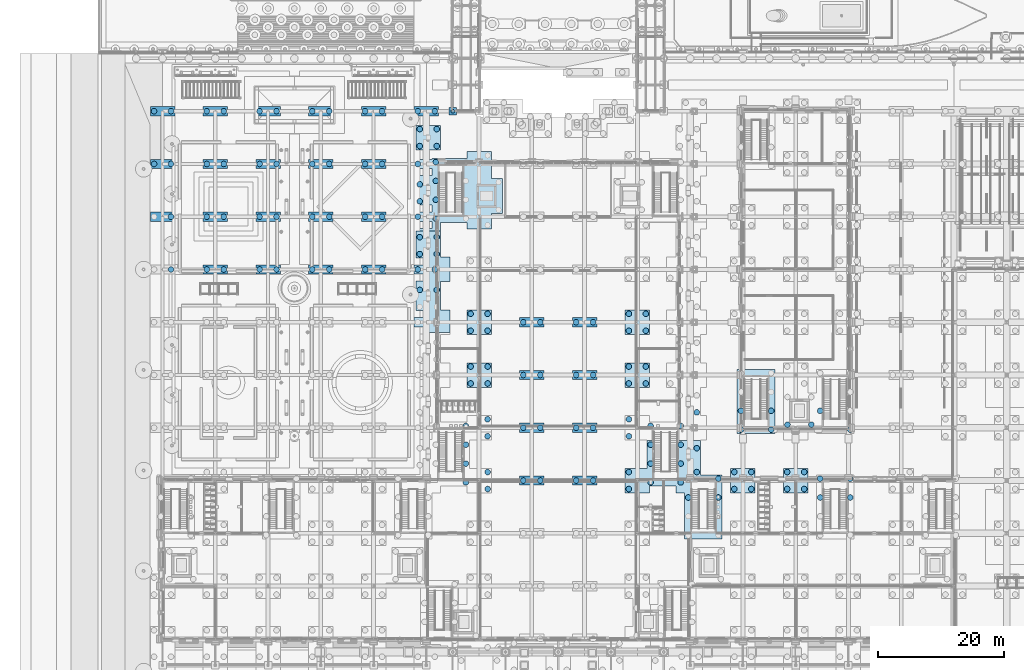
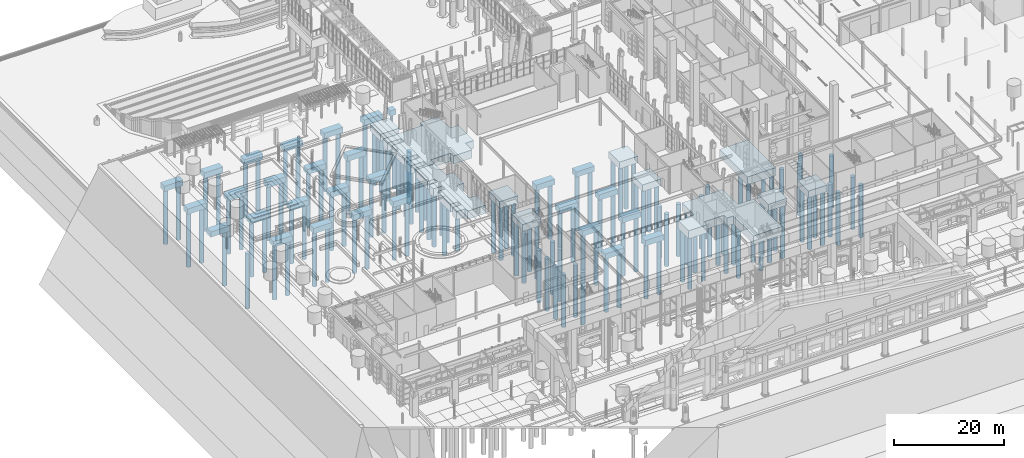
# One storey, part 3 of 222: 139 piles, 40 footings.
"""IFC4 building model written with IfcOpenShell, lengths in metres."""

from ifc_helpers import new_model, si_unit, direction, frame, origin, origin_2d, place, context, subcontext, project, spatial, polyline, rectangle, circle, outline, extrude, material, material_profile, profile_set, type_object, element, save


model = new_model("IFC4")

# Units and contexts
model_context = context("Model", 3, precision=1e-05, world=origin(), true_north=direction((0.0, 1.0)))
body_context = subcontext(model_context, "Body", "Model", "MODEL_VIEW")
ifc_project = project(units=[si_unit("LENGTHUNIT", "METRE"), si_unit("AREAUNIT", "SQUARE_METRE"), si_unit("VOLUMEUNIT", "CUBIC_METRE"), si_unit("PLANEANGLEUNIT", "RADIAN"), si_unit("MASSUNIT", "GRAM", prefix="KILO")], contexts=[model_context])

# Site, building, storey
site_placement = place(None, origin())
site = spatial("IfcSite", under=ifc_project, at=site_placement, CompositionType="ELEMENT")
building_placement = place(site_placement, origin())
building = spatial("IfcBuilding", under=site, at=building_placement, Name="Sava Quay Ferry Terminal", CompositionType="ELEMENT")
storey_placement = place(building_placement, origin())
storey = spatial("IfcBuildingStorey", under=building, at=storey_placement, Name="L00", CompositionType="ELEMENT", Elevation=0.0)

# Piles
ifc_material_1 = material(Name="Concrete C30/37", Category="concrete")
ifc_material_profile_1 = material_profile(ifc_material_1, circle(Radius=0.300048828125, at=origin_2d()), Name="Bored pile D600")
ifc_profile_set_1 = profile_set([ifc_material_profile_1], Name="Concrete C30/37")
pile_type_1 = type_object("IfcPileType", Name="Bored pile D600", PredefinedType="BORED", material=ifc_profile_set_1)
pile_placement = place(storey_placement, frame((46.199951171875, 109.199951171875, -2.449951171875), z_axis=(0.0, 0.0, -1.0), x_axis=(1.0, 0.0, 0.0)))
element("IfcPile", 1, at=pile_placement, inside=storey, type_object=pile_type_1, Name="Pile 46.2/109.2", PredefinedType="BORED", context=body_context, shape_type="SweptSolid", body=[
    extrude(circle(Radius=0.300048828125, at=origin_2d()), origin(), (0.0, 0.0, 1.0), 11.35009765625),
])
ifc_material_2 = material(Name="Concrete C30/37", Category="concrete")
ifc_material_profile_2 = material_profile(ifc_material_2, circle(Radius=0.449951171875, at=origin_2d()), Name="Bored pile D900")
ifc_profile_set_2 = profile_set([ifc_material_profile_2], Name="Concrete C30/37")
pile_type_2 = type_object("IfcPileType", Name="Bored pile D900", PredefinedType="BORED", material=ifc_profile_set_2)
for number, where, z_axis, x_axis, name in (
    (2, (48.300048828125, 50.10009765625, -3.050048828125), (0.0, 0.0, -1.0), (1.0, 0.0, 0.0), "Pile 48.3/50.1"),
    (3, (48.300048828125, 53.10009765625, -3.050048828125), (0.0, 0.0, -1.0), (1.0, 0.0, 0.0), "Pile 48.3/53.1"),
    (4, (48.300048828125, 56.10009765625, -3.050048828125), (0.0, 0.0, -1.0), (1.0, 0.0, 0.0), "Pile 48.3/56.1"),
    (5, (51.75, 49.050048828125, -3.050048828125), (0.0, 0.0, -1.0), (1.0, 0.0, 0.0), "Pile 51.75/49.05"),
    (6, (51.75, 51.75, -3.050048828125), (0.0, 0.0, -1.0), (1.0, 0.0, 0.0), "Pile 51.75/51.75"),
    (7, (51.75, 57.449951171875, -3.050048828125), (0.0, 0.0, -1.0), (1.0, 0.0, 0.0), "Pile 51.75/57.45"),
    (8, (77.699951171875, 50.10009765625, -3.050048828125), (0.0, 0.0, -1.0), (1.0, 0.0, 0.0), "Pile 77.7/50.1"),
    (9, (77.699951171875, 53.10009765625, -3.050048828125), (0.0, 0.0, -1.0), (1.0, 0.0, 0.0), "Pile 77.7/53.1"),
    (10, (77.699951171875, 56.10009765625, -3.050048828125), (0.0, 0.0, -1.0), (1.0, 0.0, 0.0), "Pile 77.7/56.1"),
    (11, (82.5, 50.10009765625, -3.050048828125), (0.0, 0.0, -1.0), (1.0, 0.0, 0.0), "Pile 82.5/50.1"),
    (12, (82.5, 53.10009765625, -3.050048828125), (0.0, 0.0, -1.0), (1.0, 0.0, 0.0), "Pile 82.5/53.1"),
    (13, (82.5, 56.10009765625, -3.050048828125), (0.0, 0.0, -1.0), (1.0, 0.0, 0.0), "Pile 82.5/56.1"),
    (14, (83.699951171875, 47.699951171875, -3.050048828125), (0.0, 0.0, -1.0), (1.0, 0.0, 0.0), "Pile 83.7/47.7"),
    (15, (88.5, 47.699951171875, -3.050048828125), (0.0, 0.0, -1.0), (1.0, 0.0, 0.0), "Pile 88.5/47.7"),
    (16, (88.5, 50.699951171875, -3.050048828125), (0.0, 0.0, -1.0), (1.0, 0.0, 0.0), "Pile 88.5/50.7"),
    (17, (85.050048828125, 51.75, -3.050048828125), (0.0, 0.0, -1.0), (1.0, 0.0, 0.0), "Pile 85.05/51.75"),
    (18, (85.050048828125, 55.550048828125, -3.050048828125), (0.0, 0.0, -1.0), (1.0, 0.0, 0.0), "Pile 85.05/55.55"),
    (19, (74.25, 49.050048828125, -3.050048828125), (0.0, 0.0, -1.0), (1.0, 0.0, 0.0), "Pile 74.25/49.05"),
    (20, (74.25, 51.75, -3.050048828125), (0.0, 0.0, -1.0), (1.0, 0.0, 0.0), "Pile 74.25/51.75"),
    (21, (104.699951171875, 47.699951171875, -3.050048828125), (0.0, 0.0, -1.0), (1.0, 0.0, 0.0), "Pile 104.7/47.7"),
    (22, (104.699951171875, 50.699951171875, -3.050048828125), (0.0, 0.0, -1.0), (1.0, 0.0, 0.0), "Pile 104.7/50.7"),
    (23, (109.5, 47.699951171875, -3.050048828125), (0.0, 0.0, -1.0), (1.0, 0.0, 0.0), "Pile 109.5/47.7"),
    (24, (109.5, 50.699951171875, -3.050048828125), (0.0, 0.0, -1.0), (1.0, 0.0, 0.0), "Pile 109.5/50.7"),
):
    element("IfcPile", number, at=place(storey_placement, frame(where, z_axis=z_axis, x_axis=x_axis)), inside=storey, type_object=pile_type_2, Name=name, PredefinedType="BORED", context=body_context, shape_type="SweptSolid", body=[
        extrude(circle(Radius=0.449951171875, at=origin_2d()), origin(), (0.0, 0.0, 1.0), 11.64990234375),
    ])
for number, where, z_axis, x_axis, name in (
    (25, (91.050048828125, 49.050048828125, -2.75), (0.0, 0.0, -1.0), (1.0, 0.0, 0.0), "Pile 91.05/49.05"),
    (26, (91.050048828125, 51.75, -2.75), (0.0, 0.0, -1.0), (1.0, 0.0, 0.0), "Pile 91.05/51.75"),
    (27, (93.75, 49.050048828125, -2.75), (0.0, 0.0, -1.0), (1.0, 0.0, 0.0), "Pile 93.75/49.05"),
    (28, (93.75, 51.75, -2.75), (0.0, 0.0, -1.0), (1.0, 0.0, 0.0), "Pile 93.75/51.75"),
    (29, (99.449951171875, 49.050048828125, -2.75), (0.0, 0.0, -1.0), (1.0, 0.0, 0.0), "Pile 99.45/49.05"),
    (30, (99.449951171875, 51.75, -2.75), (0.0, 0.0, -1.0), (1.0, 0.0, 0.0), "Pile 99.45/51.75"),
    (31, (102.14990234375, 49.050048828125, -2.75), (0.0, 0.0, -1.0), (1.0, 0.0, 0.0), "Pile 102.15/49.05"),
    (32, (102.14990234375, 51.75, -2.75), (0.0, 0.0, -1.0), (1.0, 0.0, 0.0), "Pile 102.15/51.75"),
):
    element("IfcPile", number, at=place(storey_placement, frame(where, z_axis=z_axis, x_axis=x_axis)), inside=storey, type_object=pile_type_2, Name=name, PredefinedType="BORED", context=body_context, shape_type="SweptSolid", body=[
        extrude(circle(Radius=0.449951171875, at=origin_2d()), origin(), (0.0, 0.0, 1.0), 11.949951171875),
    ])
for number, where, z_axis, x_axis, name in (
    (33, (57.449951171875, 50.39990234375, -2.449951171875), (0.0, 0.0, -1.0), (1.0, 0.0, 0.0), "Pile 57.45/50.4"),
    (34, (60.14990234375, 50.39990234375, -2.449951171875), (0.0, 0.0, -1.0), (1.0, 0.0, 0.0), "Pile 60.15/50.4"),
    (35, (65.85009765625, 50.39990234375, -2.449951171875), (0.0, 0.0, -1.0), (1.0, 0.0, 0.0), "Pile 65.85/50.4"),
    (36, (68.550048828125, 50.39990234375, -2.449951171875), (0.0, 0.0, -1.0), (1.0, 0.0, 0.0), "Pile 68.55/50.4"),
):
    element("IfcPile", number, at=place(storey_placement, frame(where, z_axis=z_axis, x_axis=x_axis)), inside=storey, type_object=pile_type_2, Name=name, PredefinedType="BORED", context=body_context, shape_type="SweptSolid", body=[
        extrude(circle(Radius=0.449951171875, at=origin_2d()), origin(), (0.0, 0.0, 1.0), 12.25),
    ])
for number, where, z_axis, x_axis, name in (
    (37, (77.699951171875, 59.10009765625, -3.050048828125), (0.0, 0.0, -1.0), (1.0, 0.0, 0.0), "Pile 77.7/59.1"),
    (38, (82.5, 59.10009765625, -3.050048828125), (0.0, 0.0, -1.0), (1.0, 0.0, 0.0), "Pile 82.5/59.1"),
    (39, (85.050048828125, 61.25, -3.050048828125), (0.0, 0.0, -1.0), (1.0, 0.0, 0.0), "Pile 85.05/61.25"),
    (40, (74.25, 57.449951171875, -3.050048828125), (0.0, 0.0, -1.0), (1.0, 0.0, 0.0), "Pile 74.25/57.45"),
    (41, (74.25, 60.14990234375, -3.050048828125), (0.0, 0.0, -1.0), (1.0, 0.0, 0.0), "Pile 74.25/60.15"),
    (42, (99.5, 59.300048828125, -3.050048828125), (0.0, 0.0, -1.0), (1.0, 0.0, 0.0), "Pile 99.5/59.3"),
    (43, (103.300048828125, 59.300048828125, -3.050048828125), (0.0, 0.0, -1.0), (1.0, 0.0, 0.0), "Pile 103.3/59.3"),
    (44, (104.699951171875, 61.5, -3.050048828125), (0.0, 0.0, -1.0), (1.0, 0.0, 0.0), "Pile 104.7/61.5"),
    (45, (109.5, 58.5, -3.050048828125), (0.0, 0.0, -1.0), (1.0, 0.0, 0.0), "Pile 109.5/58.5"),
    (46, (92.10009765625, 58.5, -3.050048828125), (0.0, 0.0, -1.0), (1.0, 0.0, 0.0), "Pile 92.1/58.5"),
    (47, (92.10009765625, 61.5, -3.050048828125), (0.0, 0.0, -1.0), (1.0, 0.0, 0.0), "Pile 92.1/61.5"),
    (48, (96.89990234375, 58.5, -3.050048828125), (0.0, 0.0, -1.0), (1.0, 0.0, 0.0), "Pile 96.9/58.5"),
    (49, (96.89990234375, 61.5, -3.050048828125), (0.0, 0.0, -1.0), (1.0, 0.0, 0.0), "Pile 96.9/61.5"),
):
    element("IfcPile", number, at=place(storey_placement, frame(where, z_axis=z_axis, x_axis=x_axis)), inside=storey, type_object=pile_type_2, Name=name, PredefinedType="BORED", context=body_context, shape_type="SweptSolid", body=[
        extrude(circle(Radius=0.449951171875, at=origin_2d()), origin(), (0.0, 0.0, 1.0), 11.64990234375),
    ])
for number, where, z_axis, x_axis, name in (
    (50, (57.449951171875, 58.800048828125, -2.449951171875), (0.0, 0.0, -1.0), (1.0, 0.0, 0.0), "Pile 57.45/58.8"),
    (51, (60.14990234375, 58.800048828125, -2.449951171875), (0.0, 0.0, -1.0), (1.0, 0.0, 0.0), "Pile 60.15/58.8"),
    (52, (65.85009765625, 58.800048828125, -2.449951171875), (0.0, 0.0, -1.0), (1.0, 0.0, 0.0), "Pile 65.85/58.8"),
    (53, (68.550048828125, 58.800048828125, -2.449951171875), (0.0, 0.0, -1.0), (1.0, 0.0, 0.0), "Pile 68.55/58.8"),
):
    element("IfcPile", number, at=place(storey_placement, frame(where, z_axis=z_axis, x_axis=x_axis)), inside=storey, type_object=pile_type_2, Name=name, PredefinedType="BORED", context=body_context, shape_type="SweptSolid", body=[
        extrude(circle(Radius=0.449951171875, at=origin_2d()), origin(), (0.0, 0.0, 1.0), 12.25),
    ])
for number, where, z_axis, x_axis, name in (
    (54, (48.300048828125, 59.10009765625, -3.050048828125), (0.0, 0.0, -1.0), (1.0, 0.0, 0.0), "Pile 48.3/59.1"),
    (55, (51.75, 60.14990234375, -3.050048828125), (0.0, 0.0, -1.0), (1.0, 0.0, 0.0), "Pile 51.75/60.15"),
):
    element("IfcPile", number, at=place(storey_placement, frame(where, z_axis=z_axis, x_axis=x_axis)), inside=storey, type_object=pile_type_2, Name=name, PredefinedType="BORED", context=body_context, shape_type="SweptSolid", body=[
        extrude(circle(Radius=0.449951171875, at=origin_2d()), origin(), (0.0, 0.0, 1.0), 11.64990234375),
    ])
for number, where, z_axis, x_axis, name in (
    (56, (49.050048828125, 65.85009765625, -2.75), (0.0, 0.0, -1.0), (1.0, 0.0, 0.0), "Pile 49.05/65.85"),
    (57, (49.050048828125, 68.550048828125, -2.75), (0.0, 0.0, -1.0), (1.0, 0.0, 0.0), "Pile 49.05/68.55"),
    (58, (51.75, 65.85009765625, -2.75), (0.0, 0.0, -1.0), (1.0, 0.0, 0.0), "Pile 51.75/65.85"),
    (59, (51.75, 68.550048828125, -2.75), (0.0, 0.0, -1.0), (1.0, 0.0, 0.0), "Pile 51.75/68.55"),
    (60, (74.25, 65.85009765625, -2.75), (0.0, 0.0, -1.0), (1.0, 0.0, 0.0), "Pile 74.25/65.85"),
    (61, (74.25, 68.550048828125, -2.75), (0.0, 0.0, -1.0), (1.0, 0.0, 0.0), "Pile 74.25/68.55"),
    (62, (76.949951171875, 65.85009765625, -2.75), (0.0, 0.0, -1.0), (1.0, 0.0, 0.0), "Pile 76.95/65.85"),
    (63, (76.949951171875, 68.550048828125, -2.75), (0.0, 0.0, -1.0), (1.0, 0.0, 0.0), "Pile 76.95/68.55"),
):
    element("IfcPile", number, at=place(storey_placement, frame(where, z_axis=z_axis, x_axis=x_axis)), inside=storey, type_object=pile_type_2, Name=name, PredefinedType="BORED", context=body_context, shape_type="SweptSolid", body=[
        extrude(circle(Radius=0.449951171875, at=origin_2d()), origin(), (0.0, 0.0, 1.0), 11.949951171875),
    ])
for number, where, z_axis, x_axis, name in (
    (64, (57.449951171875, 67.199951171875, -2.449951171875), (0.0, 0.0, -1.0), (1.0, 0.0, 0.0), "Pile 57.45/67.2"),
    (65, (60.14990234375, 67.199951171875, -2.449951171875), (0.0, 0.0, -1.0), (1.0, 0.0, 0.0), "Pile 60.15/67.2"),
    (66, (65.85009765625, 67.199951171875, -2.449951171875), (0.0, 0.0, -1.0), (1.0, 0.0, 0.0), "Pile 65.85/67.2"),
    (67, (68.550048828125, 67.199951171875, -2.449951171875), (0.0, 0.0, -1.0), (1.0, 0.0, 0.0), "Pile 68.55/67.2"),
):
    element("IfcPile", number, at=place(storey_placement, frame(where, z_axis=z_axis, x_axis=x_axis)), inside=storey, type_object=pile_type_2, Name=name, PredefinedType="BORED", context=body_context, shape_type="SweptSolid", body=[
        extrude(circle(Radius=0.449951171875, at=origin_2d()), origin(), (0.0, 0.0, 1.0), 12.25),
    ])
for number, where, z_axis, x_axis, name in (
    (68, (49.050048828125, 74.25, -2.75), (0.0, 0.0, -1.0), (1.0, 0.0, 0.0), "Pile 49.05/74.25"),
    (69, (49.050048828125, 76.949951171875, -2.75), (0.0, 0.0, -1.0), (1.0, 0.0, 0.0), "Pile 49.05/76.95"),
    (70, (51.75, 74.25, -2.75), (0.0, 0.0, -1.0), (1.0, 0.0, 0.0), "Pile 51.75/74.25"),
    (71, (51.75, 76.949951171875, -2.75), (0.0, 0.0, -1.0), (1.0, 0.0, 0.0), "Pile 51.75/76.95"),
    (72, (74.25, 74.25, -2.75), (0.0, 0.0, -1.0), (1.0, 0.0, 0.0), "Pile 74.25/74.25"),
    (73, (74.25, 76.949951171875, -2.75), (0.0, 0.0, -1.0), (1.0, 0.0, 0.0), "Pile 74.25/76.95"),
    (74, (76.949951171875, 74.25, -2.75), (0.0, 0.0, -1.0), (1.0, 0.0, 0.0), "Pile 76.95/74.25"),
    (75, (76.949951171875, 76.949951171875, -2.75), (0.0, 0.0, -1.0), (1.0, 0.0, 0.0), "Pile 76.95/76.95"),
):
    element("IfcPile", number, at=place(storey_placement, frame(where, z_axis=z_axis, x_axis=x_axis)), inside=storey, type_object=pile_type_2, Name=name, PredefinedType="BORED", context=body_context, shape_type="SweptSolid", body=[
        extrude(circle(Radius=0.449951171875, at=origin_2d()), origin(), (0.0, 0.0, 1.0), 11.949951171875),
    ])
for number, where, z_axis, x_axis, name in (
    (76, (40.949951171875, 80.75, -3.050048828125), (0.0, 0.0, -1.0), (1.0, 0.0, 0.0), "Pile 40.95/80.75"),
    (77, (43.64990234375, 80.75, -3.050048828125), (0.0, 0.0, -1.0), (1.0, 0.0, 0.0), "Pile 43.65/80.75"),
    (78, (40.949951171875, 86.449951171875, -3.050048828125), (0.0, 0.0, -1.0), (1.0, 0.0, 0.0), "Pile 40.95/86.45"),
    (79, (40.949951171875, 89.14990234375, -3.050048828125), (0.0, 0.0, -1.0), (1.0, 0.0, 0.0), "Pile 40.95/89.15"),
    (80, (43.64990234375, 86.449951171875, -3.050048828125), (0.0, 0.0, -1.0), (1.0, 0.0, 0.0), "Pile 43.65/86.45"),
    (81, (43.64990234375, 89.14990234375, -3.050048828125), (0.0, 0.0, -1.0), (1.0, 0.0, 0.0), "Pile 43.65/89.15"),
    (82, (40.64990234375, 84.0, -3.050048828125), (0.0, 0.0, -1.0), (1.0, 0.0, 0.0), "Pile 40.65/84"),
    (83, (43.35009765625, 84.0, -3.050048828125), (0.0, 0.0, -1.0), (1.0, 0.0, 0.0), "Pile 43.35/84"),
):
    element("IfcPile", number, at=place(storey_placement, frame(where, z_axis=z_axis, x_axis=x_axis)), inside=storey, type_object=pile_type_2, Name=name, PredefinedType="BORED", context=body_context, shape_type="SweptSolid", body=[
        extrude(circle(Radius=0.449951171875, at=origin_2d()), origin(), (0.0, 0.0, 1.0), 11.64990234375),
    ])
for number, where, z_axis, x_axis, name in (
    (84, (57.449951171875, 75.60009765625, -2.449951171875), (0.0, 0.0, -1.0), (1.0, 0.0, 0.0), "Pile 57.45/75.6"),
    (85, (60.14990234375, 75.60009765625, -2.449951171875), (0.0, 0.0, -1.0), (1.0, 0.0, 0.0), "Pile 60.15/75.6"),
    (86, (65.85009765625, 75.60009765625, -2.449951171875), (0.0, 0.0, -1.0), (1.0, 0.0, 0.0), "Pile 65.85/75.6"),
    (87, (68.550048828125, 75.60009765625, -2.449951171875), (0.0, 0.0, -1.0), (1.0, 0.0, 0.0), "Pile 68.55/75.6"),
    (88, (1.35009765625, 84.0, -2.449951171875), (0.0, 0.0, -1.0), (1.0, 0.0, 0.0), "Pile 1.35/84"),
    (89, (7.050048828125, 84.0, -2.449951171875), (0.0, 0.0, -1.0), (1.0, 0.0, 0.0), "Pile 7.05/84"),
    (90, (9.75, 84.0, -2.449951171875), (0.0, 0.0, -1.0), (1.0, 0.0, 0.0), "Pile 9.75/84"),
    (91, (15.449951171875, 84.0, -2.449951171875), (0.0, 0.0, -1.0), (1.0, 0.0, 0.0), "Pile 15.45/84"),
    (92, (18.14990234375, 84.0, -2.449951171875), (0.0, 0.0, -1.0), (1.0, 0.0, 0.0), "Pile 18.15/84"),
    (93, (23.85009765625, 84.0, -2.449951171875), (0.0, 0.0, -1.0), (1.0, 0.0, 0.0), "Pile 23.85/84"),
    (94, (26.550048828125, 84.0, -2.449951171875), (0.0, 0.0, -1.0), (1.0, 0.0, 0.0), "Pile 26.55/84"),
    (95, (32.25, 84.0, -2.449951171875), (0.0, 0.0, -1.0), (1.0, 0.0, 0.0), "Pile 32.25/84"),
    (96, (34.949951171875, 84.0, -2.449951171875), (0.0, 0.0, -1.0), (1.0, 0.0, 0.0), "Pile 34.95/84"),
):
    element("IfcPile", number, at=place(storey_placement, frame(where, z_axis=z_axis, x_axis=x_axis)), inside=storey, type_object=pile_type_2, Name=name, PredefinedType="BORED", context=body_context, shape_type="SweptSolid", body=[
        extrude(circle(Radius=0.449951171875, at=origin_2d()), origin(), (0.0, 0.0, 1.0), 12.25),
    ])
for number, where, z_axis, x_axis, name in (
    (97, (43.5, 92.10009765625, -3.050048828125), (0.0, 0.0, -1.0), (1.0, 0.0, 0.0), "Pile 43.5/92.1"),
    (98, (43.5, 95.10009765625, -3.050048828125), (0.0, 0.0, -1.0), (1.0, 0.0, 0.0), "Pile 43.5/95.1"),
    (99, (43.5, 98.10009765625, -3.050048828125), (0.0, 0.0, -1.0), (1.0, 0.0, 0.0), "Pile 43.5/98.1"),
    (100, (43.5, 101.10009765625, -3.050048828125), (0.0, 0.0, -1.0), (1.0, 0.0, 0.0), "Pile 43.5/101.1"),
    (101, (40.949951171875, 94.85009765625, -3.050048828125), (0.0, 0.0, -1.0), (1.0, 0.0, 0.0), "Pile 40.95/94.85"),
    (102, (40.949951171875, 97.550048828125, -3.050048828125), (0.0, 0.0, -1.0), (1.0, 0.0, 0.0), "Pile 40.95/97.55"),
    (103, (40.64990234375, 92.39990234375, -3.050048828125), (0.0, 0.0, -1.0), (1.0, 0.0, 0.0), "Pile 40.65/92.4"),
    (104, (40.64990234375, 100.800048828125, -3.050048828125), (0.0, 0.0, -1.0), (1.0, 0.0, 0.0), "Pile 40.65/100.8"),
):
    element("IfcPile", number, at=place(storey_placement, frame(where, z_axis=z_axis, x_axis=x_axis)), inside=storey, type_object=pile_type_2, Name=name, PredefinedType="BORED", context=body_context, shape_type="SweptSolid", body=[
        extrude(circle(Radius=0.449951171875, at=origin_2d()), origin(), (0.0, 0.0, 1.0), 11.64990234375),
    ])
for number, where, z_axis, x_axis, name in (
    (105, (1.35009765625, 92.39990234375, -2.449951171875), (0.0, 0.0, -1.0), (1.0, 0.0, 0.0), "Pile 1.35/92.4"),
    (106, (7.050048828125, 92.39990234375, -2.449951171875), (0.0, 0.0, -1.0), (1.0, 0.0, 0.0), "Pile 7.05/92.4"),
    (107, (9.75, 92.39990234375, -2.449951171875), (0.0, 0.0, -1.0), (1.0, 0.0, 0.0), "Pile 9.75/92.4"),
    (108, (15.449951171875, 92.39990234375, -2.449951171875), (0.0, 0.0, -1.0), (1.0, 0.0, 0.0), "Pile 15.45/92.4"),
    (109, (18.14990234375, 92.39990234375, -2.449951171875), (0.0, 0.0, -1.0), (1.0, 0.0, 0.0), "Pile 18.15/92.4"),
    (110, (23.85009765625, 92.39990234375, -2.449951171875), (0.0, 0.0, -1.0), (1.0, 0.0, 0.0), "Pile 23.85/92.4"),
    (111, (26.550048828125, 92.39990234375, -2.449951171875), (0.0, 0.0, -1.0), (1.0, 0.0, 0.0), "Pile 26.55/92.4"),
    (112, (32.25, 92.39990234375, -2.449951171875), (0.0, 0.0, -1.0), (1.0, 0.0, 0.0), "Pile 32.25/92.4"),
    (113, (34.949951171875, 92.39990234375, -2.449951171875), (0.0, 0.0, -1.0), (1.0, 0.0, 0.0), "Pile 34.95/92.4"),
    (114, (-1.35009765625, 100.800048828125, -2.449951171875), (0.0, 0.0, -1.0), (1.0, 0.0, 0.0), "Pile -1.35/100.8"),
    (115, (1.35009765625, 100.800048828125, -2.449951171875), (0.0, 0.0, -1.0), (1.0, 0.0, 0.0), "Pile 1.35/100.8"),
    (116, (7.050048828125, 100.800048828125, -2.449951171875), (0.0, 0.0, -1.0), (1.0, 0.0, 0.0), "Pile 7.05/100.8"),
    (117, (9.75, 100.800048828125, -2.449951171875), (0.0, 0.0, -1.0), (1.0, 0.0, 0.0), "Pile 9.75/100.8"),
    (118, (15.449951171875, 100.800048828125, -2.449951171875), (0.0, 0.0, -1.0), (1.0, 0.0, 0.0), "Pile 15.45/100.8"),
    (119, (18.14990234375, 100.800048828125, -2.449951171875), (0.0, 0.0, -1.0), (1.0, 0.0, 0.0), "Pile 18.15/100.8"),
    (120, (23.85009765625, 100.800048828125, -2.449951171875), (0.0, 0.0, -1.0), (1.0, 0.0, 0.0), "Pile 23.85/100.8"),
    (121, (26.550048828125, 100.800048828125, -2.449951171875), (0.0, 0.0, -1.0), (1.0, 0.0, 0.0), "Pile 26.55/100.8"),
    (122, (32.25, 100.800048828125, -2.449951171875), (0.0, 0.0, -1.0), (1.0, 0.0, 0.0), "Pile 32.25/100.8"),
    (123, (34.949951171875, 100.800048828125, -2.449951171875), (0.0, 0.0, -1.0), (1.0, 0.0, 0.0), "Pile 34.95/100.8"),
):
    element("IfcPile", number, at=place(storey_placement, frame(where, z_axis=z_axis, x_axis=x_axis)), inside=storey, type_object=pile_type_2, Name=name, PredefinedType="BORED", context=body_context, shape_type="SweptSolid", body=[
        extrude(circle(Radius=0.449951171875, at=origin_2d()), origin(), (0.0, 0.0, 1.0), 12.25),
    ])
for number, where, z_axis, x_axis, name in (
    (124, (40.949951171875, 103.64990234375, -2.75), (0.0, 0.0, -1.0), (1.0, 0.0, 0.0), "Pile 40.95/103.65"),
    (125, (40.949951171875, 106.35009765625, -2.75), (0.0, 0.0, -1.0), (1.0, 0.0, 0.0), "Pile 40.95/106.35"),
    (126, (43.64990234375, 103.64990234375, -2.75), (0.0, 0.0, -1.0), (1.0, 0.0, 0.0), "Pile 43.65/103.65"),
    (127, (43.64990234375, 106.35009765625, -2.75), (0.0, 0.0, -1.0), (1.0, 0.0, 0.0), "Pile 43.65/106.35"),
):
    element("IfcPile", number, at=place(storey_placement, frame(where, z_axis=z_axis, x_axis=x_axis)), inside=storey, type_object=pile_type_2, Name=name, PredefinedType="BORED", context=body_context, shape_type="SweptSolid", body=[
        extrude(circle(Radius=0.449951171875, at=origin_2d()), origin(), (0.0, 0.0, 1.0), 11.949951171875),
    ])
for number, where, z_axis, x_axis, name in (
    (128, (-1.35009765625, 109.199951171875, -2.449951171875), (0.0, 0.0, -1.0), (1.0, 0.0, 0.0), "Pile -1.35/109.2"),
    (129, (1.35009765625, 109.199951171875, -2.449951171875), (0.0, 0.0, -1.0), (1.0, 0.0, 0.0), "Pile 1.35/109.2"),
    (130, (7.050048828125, 109.199951171875, -2.449951171875), (0.0, 0.0, -1.0), (1.0, 0.0, 0.0), "Pile 7.05/109.2"),
    (131, (9.75, 109.199951171875, -2.449951171875), (0.0, 0.0, -1.0), (1.0, 0.0, 0.0), "Pile 9.75/109.2"),
    (132, (15.449951171875, 109.199951171875, -2.449951171875), (0.0, 0.0, -1.0), (1.0, 0.0, 0.0), "Pile 15.45/109.2"),
    (133, (18.14990234375, 109.199951171875, -2.449951171875), (0.0, 0.0, -1.0), (1.0, 0.0, 0.0), "Pile 18.15/109.2"),
    (134, (23.85009765625, 109.199951171875, -2.449951171875), (0.0, 0.0, -1.0), (1.0, 0.0, 0.0), "Pile 23.85/109.2"),
    (135, (26.550048828125, 109.199951171875, -2.449951171875), (0.0, 0.0, -1.0), (1.0, 0.0, 0.0), "Pile 26.55/109.2"),
    (136, (32.25, 109.199951171875, -2.449951171875), (0.0, 0.0, -1.0), (1.0, 0.0, 0.0), "Pile 32.25/109.2"),
    (137, (34.949951171875, 109.199951171875, -2.449951171875), (0.0, 0.0, -1.0), (1.0, 0.0, 0.0), "Pile 34.95/109.2"),
    (138, (40.64990234375, 109.199951171875, -2.449951171875), (0.0, 0.0, -1.0), (1.0, 0.0, 0.0), "Pile 40.65/109.2"),
    (139, (43.35009765625, 109.199951171875, -2.449951171875), (0.0, 0.0, -1.0), (1.0, 0.0, 0.0), "Pile 43.35/109.2"),
):
    element("IfcPile", number, at=place(storey_placement, frame(where, z_axis=z_axis, x_axis=x_axis)), inside=storey, type_object=pile_type_2, Name=name, PredefinedType="BORED", context=body_context, shape_type="SweptSolid", body=[
        extrude(circle(Radius=0.449951171875, at=origin_2d()), origin(), (0.0, 0.0, 1.0), 12.25),
    ])

# Footings
ifc_material_3 = material(Name="Concrete C35/45", Category="concrete")
footing_type_1 = type_object("IfcFootingType", Name="Pile cap 1.2x1.2x1.2", PredefinedType="PILE_CAP", material=ifc_material_3)
footing_1_placement = place(storey_placement, frame((46.199951171875, 109.199951171875, -2.5498046875), z_axis=(0.0, 0.0, 1.0), x_axis=(1.0, 0.0, 0.0)))
element("IfcFooting", 140, at=footing_1_placement, inside=storey, type_object=footing_type_1, Name="Gallery post cap 45.6/108.6", PredefinedType="PILE_CAP", context=body_context, shape_type="SweptSolid", body=[
    extrude(rectangle(XDim=1.199951171875, YDim=1.199951171875, at=origin_2d()), origin(), (0.0, 0.0, 1.0), 1.199951171875),
])
ifc_material_4 = material(Name="Concrete C35/45", Category="concrete")
footing_type_2 = type_object("IfcFootingType", Name="Pile cap 3.9x1.5x1.2", PredefinedType="PILE_CAP", material=ifc_material_4)
for number, where, z_axis, x_axis, name in (
    (141, (58.800048828125, 50.39990234375, -2.5498046875), (0.0, 0.0, 1.0), (1.0, 0.0, 0.0), "Deck pile cap 56.85/49.65"),
    (142, (67.199951171875, 50.39990234375, -2.5498046875), (0.0, 0.0, 1.0), (1.0, 0.0, 0.0), "Deck pile cap 65.25/49.65"),
    (143, (58.800048828125, 58.800048828125, -2.5498046875), (0.0, 0.0, 1.0), (1.0, 0.0, 0.0), "Deck pile cap 56.85/58.05"),
    (144, (67.199951171875, 58.800048828125, -2.5498046875), (0.0, 0.0, 1.0), (1.0, 0.0, 0.0), "Deck pile cap 65.25/58.05"),
    (145, (58.800048828125, 67.199951171875, -2.5498046875), (0.0, 0.0, 1.0), (1.0, 0.0, 0.0), "Deck pile cap 56.85/66.45"),
    (146, (67.199951171875, 67.199951171875, -2.5498046875), (0.0, 0.0, 1.0), (1.0, 0.0, 0.0), "Deck pile cap 65.25/66.45"),
    (147, (58.800048828125, 75.60009765625, -2.5498046875), (0.0, 0.0, 1.0), (1.0, 0.0, 0.0), "Deck pile cap 56.85/74.85"),
    (148, (67.199951171875, 75.60009765625, -2.5498046875), (0.0, 0.0, 1.0), (1.0, 0.0, 0.0), "Deck pile cap 65.25/74.85"),
    (149, (8.39990234375, 84.0, -2.5498046875), (0.0, 0.0, 1.0), (1.0, 0.0, 0.0), "Deck pile cap 6.45/83.25"),
    (150, (16.800048828125, 84.0, -2.5498046875), (0.0, 0.0, 1.0), (1.0, 0.0, 0.0), "Deck pile cap 14.85/83.25"),
    (151, (25.199951171875, 84.0, -2.5498046875), (0.0, 0.0, 1.0), (1.0, 0.0, 0.0), "Deck pile cap 23.25/83.25"),
    (152, (33.60009765625, 84.0, -2.5498046875), (0.0, 0.0, 1.0), (1.0, 0.0, 0.0), "Deck pile cap 31.65/83.25"),
    (153, (0.0, 92.39990234375, -2.5498046875), (0.0, 0.0, 1.0), (1.0, 0.0, 0.0), "Deck pile cap -1.95/91.65"),
    (154, (8.39990234375, 92.39990234375, -2.5498046875), (0.0, 0.0, 1.0), (1.0, 0.0, 0.0), "Deck pile cap 6.45/91.65"),
    (155, (16.800048828125, 92.39990234375, -2.5498046875), (0.0, 0.0, 1.0), (1.0, 0.0, 0.0), "Deck pile cap 14.85/91.65"),
    (156, (25.199951171875, 92.39990234375, -2.5498046875), (0.0, 0.0, 1.0), (1.0, 0.0, 0.0), "Deck pile cap 23.25/91.65"),
    (157, (33.60009765625, 92.39990234375, -2.5498046875), (0.0, 0.0, 1.0), (1.0, 0.0, 0.0), "Deck pile cap 31.65/91.65"),
    (158, (0.0, 100.800048828125, -2.5498046875), (0.0, 0.0, 1.0), (1.0, 0.0, 0.0), "Deck pile cap -1.95/100.05"),
    (159, (8.39990234375, 100.800048828125, -2.5498046875), (0.0, 0.0, 1.0), (1.0, 0.0, 0.0), "Deck pile cap 6.45/100.05"),
    (160, (16.800048828125, 100.800048828125, -2.5498046875), (0.0, 0.0, 1.0), (1.0, 0.0, 0.0), "Deck pile cap 14.85/100.05"),
    (161, (25.199951171875, 100.800048828125, -2.5498046875), (0.0, 0.0, 1.0), (1.0, 0.0, 0.0), "Deck pile cap 23.25/100.05"),
    (162, (33.60009765625, 100.800048828125, -2.5498046875), (0.0, 0.0, 1.0), (1.0, 0.0, 0.0), "Deck pile cap 31.65/100.05"),
    (163, (0.0, 109.199951171875, -2.5498046875), (0.0, 0.0, 1.0), (1.0, 0.0, 0.0), "Deck pile cap -1.95/108.45"),
    (164, (8.39990234375, 109.199951171875, -2.5498046875), (0.0, 0.0, 1.0), (1.0, 0.0, 0.0), "Deck pile cap 6.45/108.45"),
    (165, (16.800048828125, 109.199951171875, -2.5498046875), (0.0, 0.0, 1.0), (1.0, 0.0, 0.0), "Deck pile cap 14.85/108.45"),
    (166, (25.199951171875, 109.199951171875, -2.5498046875), (0.0, 0.0, 1.0), (1.0, 0.0, 0.0), "Deck pile cap 23.25/108.45"),
    (167, (33.60009765625, 109.199951171875, -2.5498046875), (0.0, 0.0, 1.0), (1.0, 0.0, 0.0), "Deck pile cap 31.65/108.45"),
    (168, (42.0, 109.199951171875, -2.5498046875), (0.0, 0.0, 1.0), (1.0, 0.0, 0.0), "Deck pile cap 40.05/108.45"),
):
    element("IfcFooting", number, at=place(storey_placement, frame(where, z_axis=z_axis, x_axis=x_axis)), inside=storey, type_object=footing_type_2, Name=name, PredefinedType="PILE_CAP", context=body_context, shape_type="SweptSolid", body=[
        extrude(rectangle(XDim=3.89990234375, YDim=1.5, at=origin_2d()), origin(), (0.0, 0.0, 1.0), 1.199951171875),
    ])
ifc_material_5 = material(Name="Concrete C35/45", Category="concrete")
footing_type_3 = type_object("IfcFootingType", Name="Pile cap 3.9x3.9x1.5", PredefinedType="PILE_CAP", material=ifc_material_5)
for number, where, z_axis, x_axis, name in (
    (169, (92.39990234375, 50.39990234375, -2.85009765625), (0.0, 0.0, 1.0), (1.0, 0.0, 0.0), "Pile cap 90.45/48.45"),
    (170, (100.800048828125, 50.39990234375, -2.85009765625), (0.0, 0.0, 1.0), (1.0, 0.0, 0.0), "Pile cap 98.85/48.45"),
    (171, (50.39990234375, 67.199951171875, -2.85009765625), (0.0, 0.0, 1.0), (1.0, 0.0, 0.0), "Pile cap 48.45/65.25"),
    (172, (75.60009765625, 67.199951171875, -2.85009765625), (0.0, 0.0, 1.0), (1.0, 0.0, 0.0), "Pile cap 73.65/65.25"),
    (173, (50.39990234375, 75.60009765625, -2.85009765625), (0.0, 0.0, 1.0), (1.0, 0.0, 0.0), "Pile cap 48.45/73.65"),
    (174, (75.60009765625, 75.60009765625, -2.85009765625), (0.0, 0.0, 1.0), (1.0, 0.0, 0.0), "Pile cap 73.65/73.65"),
    (175, (42.300048828125, 105.0, -2.85009765625), (0.0, 0.0, 1.0), (1.0, 0.0, 0.0), "Strip cap 40.35/103.05"),
):
    element("IfcFooting", number, at=place(storey_placement, frame(where, z_axis=z_axis, x_axis=x_axis)), inside=storey, type_object=footing_type_3, Name=name, PredefinedType="PILE_CAP", context=body_context, shape_type="SweptSolid", body=[
        extrude(rectangle(XDim=3.89990234375, YDim=3.89990234375, at=origin_2d()), origin(), (0.0, 0.0, 1.0), 1.5),
    ])
ifc_material_6 = material(Name="Concrete C35/45", Category="concrete")
footing_type_4 = type_object("IfcFootingType", Name="Pile cap 6.0x10.2x1.8", PredefinedType="PILE_CAP", material=ifc_material_6)
footing_2_placement = place(storey_placement, frame((94.5, 63.0, -3.14990234375), z_axis=(0.0, 0.0, 1.0), x_axis=(1.0, 0.0, 0.0)))
element("IfcFooting", 176, at=footing_2_placement, inside=storey, type_object=footing_type_4, Name="Raft 91.5/57.9", PredefinedType="PILE_CAP", context=body_context, shape_type="SweptSolid", body=[
    extrude(rectangle(XDim=6.0, YDim=10.199951171875, at=origin_2d()), origin(), (0.0, 0.0, 1.0), 1.800048828125),
])
ifc_material_7 = material(Name="Concrete C35/45", Category="concrete")
footing_type_5 = type_object("IfcFootingType", Name="Pile cap group 1.8", PredefinedType="PILE_CAP", material=ifc_material_7)
footing_3_placement = place(storey_placement, frame((0.0, 0.0, -3.14990234375)))
element("IfcFooting", 177, at=footing_3_placement, inside=storey, type_object=footing_type_5, Name="Raft 73.65/41.1", PredefinedType="PILE_CAP", context=body_context, shape_type="SweptSolid", body=[
    extrude(outline(polyline([(85.64990234375, 51.300048828125), (89.10009765625, 51.300048828125), (89.10009765625, 41.10009765625), (83.10009765625, 41.10009765625), (83.10009765625, 48.449951171875), (81.75, 48.449951171875), (81.75, 49.5), (77.550048828125, 49.5), (77.550048828125, 48.449951171875), (73.64990234375, 48.449951171875), (73.64990234375, 52.35009765625), (77.10009765625, 52.35009765625), (77.10009765625, 56.764892578125), (85.64990234375, 56.764892578125), (85.64990234375, 51.300048828125)])), origin(), (0.0, 0.0, 1.0), 1.7998046875),
])
footing_4_placement = place(storey_placement, frame((0.0, 0.0, -3.14990234375)))
element("IfcFooting", 178, at=footing_4_placement, inside=storey, type_object=footing_type_5, Name="Raft 40.05/73.985", PredefinedType="PILE_CAP", context=body_context, shape_type="SweptSolid", body=[
    extrude(outline(polyline([(40.050048828125, 74.85009765625), (40.050048828125, 76.35009765625), (41.85009765625, 76.35009765625), (41.85009765625, 77.449951171875), (40.35009765625, 77.449951171875), (40.35009765625, 82.14990234375), (41.85009765625, 82.14990234375), (41.85009765625, 83.25), (40.050048828125, 83.25), (40.050048828125, 84.75), (41.85009765625, 84.75), (41.85009765625, 85.85009765625), (40.35009765625, 85.85009765625), (40.35009765625, 90.090087890625), (44.25, 90.090087890625), (44.25, 85.949951171875), (45.75, 85.949951171875), (45.75, 82.050048828125), (44.25, 82.050048828125), (44.25, 77.550048828125), (45.75, 77.550048828125), (45.75, 73.985107421875), (41.85009765625, 73.985107421875), (41.85009765625, 74.85009765625), (40.050048828125, 74.85009765625)])), origin(), (0.0, 0.0, 1.0), 1.7998046875),
])
footing_5_placement = place(storey_placement, frame((0.0, 0.0, -3.14990234375)))
element("IfcFooting", 179, at=footing_5_placement, inside=storey, type_object=footing_type_5, Name="Raft 40.05/90.11", PredefinedType="PILE_CAP", context=body_context, shape_type="SweptSolid", body=[
    extrude(outline(polyline([(40.35009765625, 90.550048828125), (42.89990234375, 90.550048828125), (42.89990234375, 91.64990234375), (40.050048828125, 91.64990234375), (40.050048828125, 93.14990234375), (42.89990234375, 93.14990234375), (42.89990234375, 94.25), (40.35009765625, 94.25), (40.35009765625, 98.949951171875), (42.89990234375, 98.949951171875), (42.89990234375, 100.050048828125), (40.050048828125, 100.050048828125), (40.050048828125, 101.550048828125), (42.89990234375, 101.550048828125), (42.89990234375, 101.699951171875), (48.449951171875, 101.699951171875), (48.449951171875, 102.75), (52.35009765625, 102.75), (52.35009765625, 98.5), (54.10009765625, 98.5), (54.10009765625, 92.89990234375), (52.35009765625, 92.89990234375), (52.35009765625, 90.449951171875), (48.449951171875, 90.449951171875), (48.449951171875, 91.5), (44.25, 91.5), (44.25, 90.110107421875), (40.35009765625, 90.110107421875), (40.35009765625, 90.550048828125)])), origin(), (0.0, 0.0, 1.0), 1.7998046875),
])

save(model, "model.ifc")
